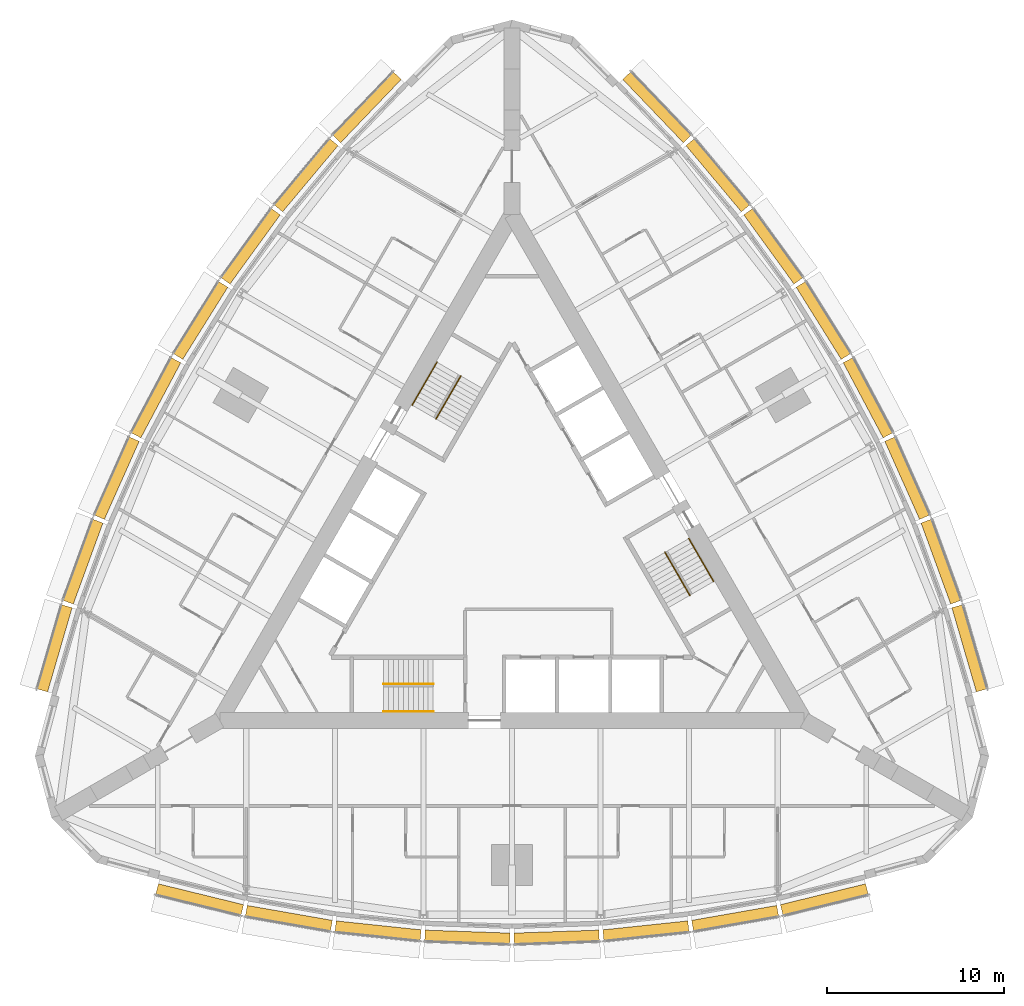
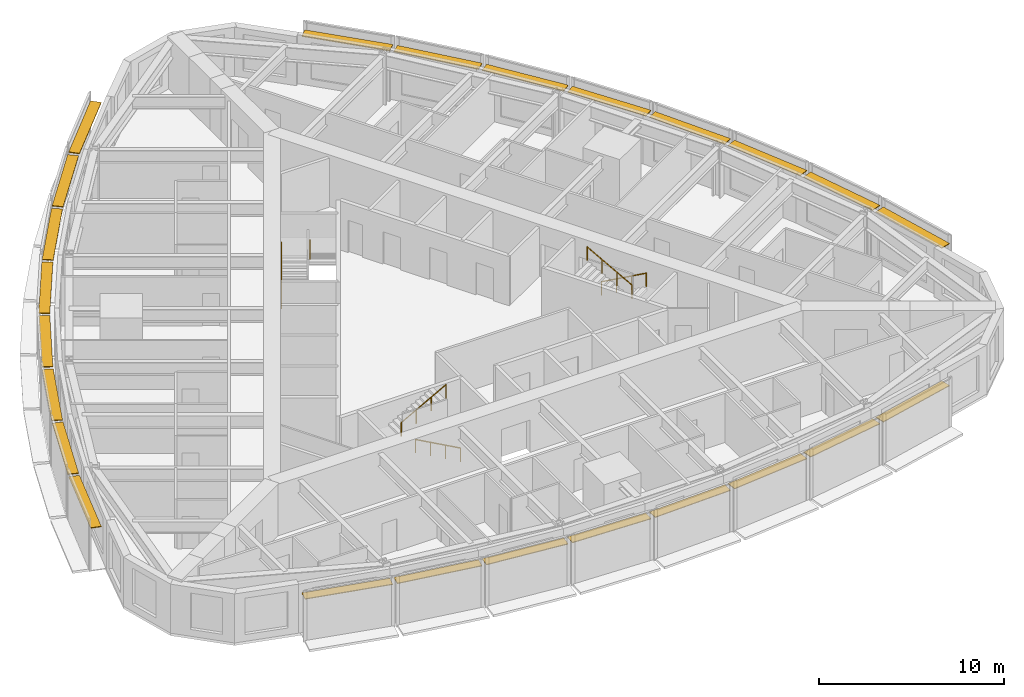
# One storey, part 14 of 14: 24 shading devices, 6 railings.
"""IFC4 building model written with IfcOpenShell, lengths in metres."""

from ifc_helpers import new_model, si_unit, direction, frame, origin, origin_2d, place, context, subcontext, project, spatial, rectangle, circle, extrude, material, type_object, element, save


model = new_model("IFC4")

# Units and contexts
model_context = context("Model", 3, precision=1e-05, world=origin(), true_north=direction((0.0, 1.0)))
body_context = subcontext(model_context, "Body", "Model", "MODEL_VIEW")
ifc_project = project(units=[si_unit("LENGTHUNIT", "METRE"), si_unit("AREAUNIT", "SQUARE_METRE"), si_unit("VOLUMEUNIT", "CUBIC_METRE"), si_unit("PLANEANGLEUNIT", "RADIAN"), si_unit("MASSUNIT", "GRAM", prefix="KILO")], contexts=[model_context])

# Site, building, storey
site_placement = place(None, origin())
site = spatial("IfcSite", under=ifc_project, at=site_placement, CompositionType="ELEMENT")
building_placement = place(site_placement, origin())
building = spatial("IfcBuilding", under=site, at=building_placement, Name="Trikona Tower", CompositionType="ELEMENT")
storey_placement = place(building_placement, frame((0.0, 0.0, 165.699951171875)))
storey = spatial("IfcBuildingStorey", under=building, at=storey_placement, Name="L44", CompositionType="ELEMENT", Elevation=165.699951171875)

# Shading devices
ifc_material_1 = material(Name="Aluminium louvre blade, pale anodised", Category="aluminium")
shading_device_type = type_object("IfcShadingDeviceType", Name="Cavity louvre 600", PredefinedType="USERDEFINED", material=ifc_material_1)
shading_device_1_placement = place(storey_placement, frame((-17.63330078125, -19.631591796875, 2.77490234375), z_axis=(0.0, 0.0, 1.0), x_axis=(0.971274411564, -0.237962218516, 0.0)))
element("IfcShadingDevice", 1, at=shading_device_1_placement, inside=storey, type_object=shading_device_type, Name="Cavity louvre L44-00", ObjectType="LOUVRE", PredefinedType="USERDEFINED", context=body_context, shape_type="SweptSolid", body=[
    extrude(rectangle(XDim=4.947998046875, YDim=0.60009765625, at=origin_2d()), origin(), (0.0, 0.0, 1.0), 0.050048828125),
])
shading_device_2_placement = place(storey_placement, frame((-12.596435546875, -20.689208984375, 2.77490234375), z_axis=(0.0, 0.0, 1.0), x_axis=(0.985030604067, -0.172379549401, 0.0)))
element("IfcShadingDevice", 2, at=shading_device_2_placement, inside=storey, type_object=shading_device_type, Name="Cavity louvre L44-01", ObjectType="LOUVRE", PredefinedType="USERDEFINED", context=body_context, shape_type="SweptSolid", body=[
    extrude(rectangle(XDim=4.8759765625, YDim=0.60009765625, at=origin_2d()), origin(), (0.0, 0.0, 1.0), 0.050048828125),
])
shading_device_3_placement = place(storey_placement, frame((-7.55859375, -21.39453125, 2.77490234375), z_axis=(0.0, 0.0, 1.0), x_axis=(0.994532653854, -0.104426052392, 0.0)))
element("IfcShadingDevice", 3, at=shading_device_3_placement, inside=storey, type_object=shading_device_type, Name="Cavity louvre L44-02", ObjectType="LOUVRE", PredefinedType="USERDEFINED", context=body_context, shape_type="SweptSolid", body=[
    extrude(rectangle(XDim=4.827392578125, YDim=0.60009765625, at=origin_2d()), origin(), (0.0, 0.0, 1.0), 0.050048828125),
])
for number, where, z_axis, x_axis, name in (
    (4, (-2.51953125, -21.747314453125, 2.77490234375), (0.0, 0.0, 1.0), (0.999388082937, -0.034977988567, 0.0), "Cavity louvre L44-03"),
    (5, (2.51953125, -21.747314453125, 2.77490234375), (0.0, 0.0, 1.0), (0.999388082937, 0.034977988567, 0.0), "Cavity louvre L44-04"),
):
    element("IfcShadingDevice", number, at=place(storey_placement, frame(where, z_axis=z_axis, x_axis=x_axis)), inside=storey, type_object=shading_device_type, Name=name, ObjectType="LOUVRE", PredefinedType="USERDEFINED", context=body_context, shape_type="SweptSolid", body=[
        extrude(rectangle(XDim=4.802978515625, YDim=0.60009765625, at=origin_2d()), origin(), (0.0, 0.0, 1.0), 0.050048828125),
    ])
shading_device_4_placement = place(storey_placement, frame((7.55859375, -21.39453125, 2.77490234375), z_axis=(0.0, 0.0, 1.0), x_axis=(0.994532653854, 0.104426052392, 0.0)))
element("IfcShadingDevice", 6, at=shading_device_4_placement, inside=storey, type_object=shading_device_type, Name="Cavity louvre L44-05", ObjectType="LOUVRE", PredefinedType="USERDEFINED", context=body_context, shape_type="SweptSolid", body=[
    extrude(rectangle(XDim=4.827392578125, YDim=0.60009765625, at=origin_2d()), origin(), (0.0, 0.0, 1.0), 0.050048828125),
])
shading_device_5_placement = place(storey_placement, frame((12.596435546875, -20.689208984375, 2.77490234375), z_axis=(0.0, 0.0, 1.0), x_axis=(0.985030604067, 0.172379549401, 0.0)))
element("IfcShadingDevice", 7, at=shading_device_5_placement, inside=storey, type_object=shading_device_type, Name="Cavity louvre L44-06", ObjectType="LOUVRE", PredefinedType="USERDEFINED", context=body_context, shape_type="SweptSolid", body=[
    extrude(rectangle(XDim=4.8759765625, YDim=0.60009765625, at=origin_2d()), origin(), (0.0, 0.0, 1.0), 0.050048828125),
])
shading_device_6_placement = place(storey_placement, frame((17.63330078125, -19.631591796875, 2.77490234375), z_axis=(0.0, 0.0, 1.0), x_axis=(0.971274411564, 0.237962218516, 0.0)))
element("IfcShadingDevice", 8, at=shading_device_6_placement, inside=storey, type_object=shading_device_type, Name="Cavity louvre L44-07", ObjectType="LOUVRE", PredefinedType="USERDEFINED", context=body_context, shape_type="SweptSolid", body=[
    extrude(rectangle(XDim=4.947998046875, YDim=0.60009765625, at=origin_2d()), origin(), (0.0, 0.0, 1.0), 0.050048828125),
])
shading_device_7_placement = place(storey_placement, frame((25.818115234375, -5.455078125, 2.77490234375), z_axis=(0.0, 0.0, 1.0), x_axis=(-0.279554203664, 0.960129911634, 0.0)))
element("IfcShadingDevice", 9, at=shading_device_7_placement, inside=storey, type_object=shading_device_type, Name="Cavity louvre L44-12", ObjectType="LOUVRE", PredefinedType="USERDEFINED", context=body_context, shape_type="SweptSolid", body=[
    extrude(rectangle(XDim=4.94775390625, YDim=0.60009765625, at=origin_2d()), origin(), (0.0, 0.0, 1.0), 0.050048828125),
])
shading_device_8_placement = place(storey_placement, frame((24.2158203125, -0.564208984375, 2.77490234375), z_axis=(0.0, 0.0, 1.0), x_axis=(-0.343220397324, 0.939254895575, 0.0)))
element("IfcShadingDevice", 10, at=shading_device_8_placement, inside=storey, type_object=shading_device_type, Name="Cavity louvre L44-13", ObjectType="LOUVRE", PredefinedType="USERDEFINED", context=body_context, shape_type="SweptSolid", body=[
    extrude(rectangle(XDim=4.8759765625, YDim=0.60009765625, at=origin_2d()), origin(), (0.0, 0.0, 1.0), 0.050048828125),
])
shading_device_9_placement = place(storey_placement, frame((22.3076171875, 4.151611328125, 2.77490234375), z_axis=(0.0, 0.0, 1.0), x_axis=(-0.406843467615, 0.913497888809, 0.0)))
element("IfcShadingDevice", 11, at=shading_device_9_placement, inside=storey, type_object=shading_device_type, Name="Cavity louvre L44-14", ObjectType="LOUVRE", PredefinedType="USERDEFINED", context=body_context, shape_type="SweptSolid", body=[
    extrude(rectangle(XDim=4.827392578125, YDim=0.60009765625, at=origin_2d()), origin(), (0.0, 0.0, 1.0), 0.050048828125),
])
for number, where, z_axis, x_axis, name in (
    (12, (20.093505859375, 8.691650390625, 2.77490234375), (0.0, 0.0, 1.0), (-0.469397591494, 0.882986920118, 0.0), "Cavity louvre L44-15"),
    (13, (17.573974609375, 13.0556640625, 2.77490234375), (0.0, 0.0, 1.0), (-0.529994748414, 0.848000923734, 0.0), "Cavity louvre L44-16"),
):
    element("IfcShadingDevice", number, at=place(storey_placement, frame(where, z_axis=z_axis, x_axis=x_axis)), inside=storey, type_object=shading_device_type, Name=name, ObjectType="LOUVRE", PredefinedType="USERDEFINED", context=body_context, shape_type="SweptSolid", body=[
        extrude(rectangle(XDim=4.802978515625, YDim=0.60009765625, at=origin_2d()), origin(), (0.0, 0.0, 1.0), 0.050048828125),
    ])
shading_device_10_placement = place(storey_placement, frame((14.7490234375, 17.2431640625, 2.77490234375), z_axis=(0.0, 0.0, 1.0), x_axis=(-0.587686407834, 0.809088799853, 0.0)))
element("IfcShadingDevice", 14, at=shading_device_10_placement, inside=storey, type_object=shading_device_type, Name="Cavity louvre L44-17", ObjectType="LOUVRE", PredefinedType="USERDEFINED", context=body_context, shape_type="SweptSolid", body=[
    extrude(rectangle(XDim=4.827392578125, YDim=0.60009765625, at=origin_2d()), origin(), (0.0, 0.0, 1.0), 0.050048828125),
])
shading_device_11_placement = place(storey_placement, frame((11.619140625, 21.253662109375, 2.77490234375), z_axis=(0.0, 0.0, 1.0), x_axis=(-0.641807063101, 0.766866151133, 0.0)))
element("IfcShadingDevice", 15, at=shading_device_11_placement, inside=storey, type_object=shading_device_type, Name="Cavity louvre L44-18", ObjectType="LOUVRE", PredefinedType="USERDEFINED", context=body_context, shape_type="SweptSolid", body=[
    extrude(rectangle(XDim=4.8759765625, YDim=0.60009765625, at=origin_2d()), origin(), (0.0, 0.0, 1.0), 0.050048828125),
])
for number, where, z_axis, x_axis, name in (
    (16, (8.184814453125, 25.086669921875, 2.77490234375), (0.0, 0.0, 1.0), (-0.691723573819, 0.722162376078, 0.0), "Cavity louvre L44-19"),
    (17, (-8.184814453125, 25.086669921875, 2.77490234375), (0.0, 0.0, 1.0), (-0.691723573819, -0.722162376078, 0.0), "Cavity louvre L44-24"),
):
    element("IfcShadingDevice", number, at=place(storey_placement, frame(where, z_axis=z_axis, x_axis=x_axis)), inside=storey, type_object=shading_device_type, Name=name, ObjectType="LOUVRE", PredefinedType="USERDEFINED", context=body_context, shape_type="SweptSolid", body=[
        extrude(rectangle(XDim=4.947998046875, YDim=0.60009765625, at=origin_2d()), origin(), (0.0, 0.0, 1.0), 0.050048828125),
    ])
shading_device_12_placement = place(storey_placement, frame((-11.619140625, 21.253662109375, 2.77490234375), z_axis=(0.0, 0.0, 1.0), x_axis=(-0.641807063101, -0.766866151133, 0.0)))
element("IfcShadingDevice", 18, at=shading_device_12_placement, inside=storey, type_object=shading_device_type, Name="Cavity louvre L44-25", ObjectType="LOUVRE", PredefinedType="USERDEFINED", context=body_context, shape_type="SweptSolid", body=[
    extrude(rectangle(XDim=4.8759765625, YDim=0.60009765625, at=origin_2d()), origin(), (0.0, 0.0, 1.0), 0.050048828125),
])
shading_device_13_placement = place(storey_placement, frame((-14.7490234375, 17.2431640625, 2.77490234375), z_axis=(0.0, 0.0, 1.0), x_axis=(-0.587686407834, -0.809088799853, 0.0)))
element("IfcShadingDevice", 19, at=shading_device_13_placement, inside=storey, type_object=shading_device_type, Name="Cavity louvre L44-26", ObjectType="LOUVRE", PredefinedType="USERDEFINED", context=body_context, shape_type="SweptSolid", body=[
    extrude(rectangle(XDim=4.827392578125, YDim=0.60009765625, at=origin_2d()), origin(), (0.0, 0.0, 1.0), 0.050048828125),
])
for number, where, z_axis, x_axis, name in (
    (20, (-17.573974609375, 13.0556640625, 2.77490234375), (0.0, 0.0, 1.0), (-0.529994748414, -0.848000923734, 0.0), "Cavity louvre L44-27"),
    (21, (-20.093505859375, 8.691650390625, 2.77490234375), (0.0, 0.0, 1.0), (-0.469397591494, -0.882986920118, 0.0), "Cavity louvre L44-28"),
):
    element("IfcShadingDevice", number, at=place(storey_placement, frame(where, z_axis=z_axis, x_axis=x_axis)), inside=storey, type_object=shading_device_type, Name=name, ObjectType="LOUVRE", PredefinedType="USERDEFINED", context=body_context, shape_type="SweptSolid", body=[
        extrude(rectangle(XDim=4.802978515625, YDim=0.60009765625, at=origin_2d()), origin(), (0.0, 0.0, 1.0), 0.050048828125),
    ])
shading_device_14_placement = place(storey_placement, frame((-22.3076171875, 4.151611328125, 2.77490234375), z_axis=(0.0, 0.0, 1.0), x_axis=(-0.406843467615, -0.913497888809, 0.0)))
element("IfcShadingDevice", 22, at=shading_device_14_placement, inside=storey, type_object=shading_device_type, Name="Cavity louvre L44-29", ObjectType="LOUVRE", PredefinedType="USERDEFINED", context=body_context, shape_type="SweptSolid", body=[
    extrude(rectangle(XDim=4.827392578125, YDim=0.60009765625, at=origin_2d()), origin(), (0.0, 0.0, 1.0), 0.050048828125),
])
shading_device_15_placement = place(storey_placement, frame((-24.2158203125, -0.564208984375, 2.77490234375), z_axis=(0.0, 0.0, 1.0), x_axis=(-0.343220397324, -0.939254895575, 0.0)))
element("IfcShadingDevice", 23, at=shading_device_15_placement, inside=storey, type_object=shading_device_type, Name="Cavity louvre L44-30", ObjectType="LOUVRE", PredefinedType="USERDEFINED", context=body_context, shape_type="SweptSolid", body=[
    extrude(rectangle(XDim=4.8759765625, YDim=0.60009765625, at=origin_2d()), origin(), (0.0, 0.0, 1.0), 0.050048828125),
])
shading_device_16_placement = place(storey_placement, frame((-25.818115234375, -5.455078125, 2.77490234375), z_axis=(0.0, 0.0, 1.0), x_axis=(-0.279554203664, -0.960129911634, 0.0)))
element("IfcShadingDevice", 24, at=shading_device_16_placement, inside=storey, type_object=shading_device_type, Name="Cavity louvre L44-31", ObjectType="LOUVRE", PredefinedType="USERDEFINED", context=body_context, shape_type="SweptSolid", body=[
    extrude(rectangle(XDim=4.94775390625, YDim=0.60009765625, at=origin_2d()), origin(), (0.0, 0.0, 1.0), 0.050048828125),
])

# Railings
ifc_material_2 = material(Name="Stainless steel handrail", Category="steel")
railing_type = type_object("IfcRailingType", Name="Stair handrail", PredefinedType="HANDRAIL", material=ifc_material_2)
railing_1_placement = place(storey_placement, frame((-4.449951171875, -9.016357421875, 0.154541015625)))
element("IfcRailing", 25, at=railing_1_placement, inside=storey, type_object=railing_type, Name="Stair handrail A L44 1", PredefinedType="HANDRAIL", context=body_context, shape_type="SweptSolid", body=[
    extrude(circle(Radius=0.02392578125, at=origin_2d()), frame((0.0, 0.0, 0.8759765625), z_axis=(-0.875504190374, 0.0, 0.483210526207), x_axis=(0.0, -1.0, 0.0)), (0.0, 0.0, 1.0), 3.1982421875),
    extrude(circle(Radius=0.02099609375, at=origin_2d()), origin(), (0.0, 0.0, 1.0), 0.851806640625),
    extrude(circle(Radius=0.02099609375, at=origin_2d()), frame((-0.933349609375, 0.0, 0.51513671875)), (0.0, 0.0, 1.0), 0.851806640625),
    extrude(circle(Radius=0.02099609375, at=origin_2d()), frame((-1.86669921875, 0.0, 1.0302734375)), (0.0, 0.0, 1.0), 0.851806640625),
    extrude(circle(Radius=0.02099609375, at=origin_2d()), frame((-2.800048828125, 0.0, 1.54541015625)), (0.0, 0.0, 1.0), 0.851806640625),
])
railing_2_placement = place(storey_placement, frame((-7.25, -7.46630859375, 1.8544921875)))
element("IfcRailing", 26, at=railing_2_placement, inside=storey, type_object=railing_type, Name="Stair handrail A L44 2", PredefinedType="HANDRAIL", context=body_context, shape_type="SweptSolid", body=[
    extrude(circle(Radius=0.02392578125, at=origin_2d()), frame((0.0, 0.0, 0.8759765625), z_axis=(0.875471895205, 0.0, 0.483269035534), x_axis=(0.0, 1.0, 0.0)), (0.0, 0.0, 1.0), 3.1982421875),
    extrude(circle(Radius=0.02099609375, at=origin_2d()), origin(), (0.0, 0.0, 1.0), 0.851806640625),
    extrude(circle(Radius=0.02099609375, at=origin_2d()), frame((0.933349609375, 0.0, 0.51513671875)), (0.0, 0.0, 1.0), 0.851806640625),
    extrude(circle(Radius=0.02099609375, at=origin_2d()), frame((1.86669921875, 0.0, 1.030517578125)), (0.0, 0.0, 1.0), 0.851806640625),
    extrude(circle(Radius=0.02099609375, at=origin_2d()), frame((2.800048828125, 0.0, 1.545654296875)), (0.0, 0.0, 1.0), 0.851806640625),
])
railing_3_placement = place(storey_placement, frame((9.9833984375, 0.740966796875, 0.154541015625)))
element("IfcRailing", 27, at=railing_3_placement, inside=storey, type_object=railing_type, Name="Stair handrail B L44 1", PredefinedType="HANDRAIL", context=body_context, shape_type="SweptSolid", body=[
    extrude(circle(Radius=0.02392578125, at=origin_2d()), frame((0.0, 0.0, 0.8759765625), z_axis=(0.437707188162, -0.758239536103, 0.483203087036), x_axis=(0.866056369097, 0.49994636267, 0.0)), (0.0, 0.0, 1.0), 3.1982421875),
    extrude(circle(Radius=0.02099609375, at=origin_2d()), origin(), (0.0, 0.0, 1.0), 0.851806640625),
    extrude(circle(Radius=0.02099609375, at=origin_2d()), frame((0.466552734375, -0.808349609375, 0.51513671875)), (0.0, 0.0, 1.0), 0.851806640625),
    extrude(circle(Radius=0.02099609375, at=origin_2d()), frame((0.933349609375, -1.61669921875, 1.0302734375)), (0.0, 0.0, 1.0), 0.851806640625),
    extrude(circle(Radius=0.02099609375, at=origin_2d()), frame((1.39990234375, -2.425048828125, 1.54541015625)), (0.0, 0.0, 1.0), 0.851806640625),
])
railing_4_placement = place(storey_placement, frame((10.041015625, -2.458984375, 1.8544921875)))
element("IfcRailing", 28, at=railing_4_placement, inside=storey, type_object=railing_type, Name="Stair handrail B L44 2", PredefinedType="HANDRAIL", context=body_context, shape_type="SweptSolid", body=[
    extrude(circle(Radius=0.02392578125, at=origin_2d()), frame((0.0, 0.0, 0.8759765625), z_axis=(-0.437691042731, 0.758211567396, 0.483261596012), x_axis=(-0.866056369097, -0.49994636267, 0.0)), (0.0, 0.0, 1.0), 3.198486328125),
    extrude(circle(Radius=0.02099609375, at=origin_2d()), origin(), (0.0, 0.0, 1.0), 0.851806640625),
    extrude(circle(Radius=0.02099609375, at=origin_2d()), frame((-0.466552734375, 0.808349609375, 0.51513671875)), (0.0, 0.0, 1.0), 0.851806640625),
    extrude(circle(Radius=0.02099609375, at=origin_2d()), frame((-0.933349609375, 1.61669921875, 1.030517578125)), (0.0, 0.0, 1.0), 0.851806640625),
    extrude(circle(Radius=0.02099609375, at=origin_2d()), frame((-1.39990234375, 2.425048828125, 1.545654296875)), (0.0, 0.0, 1.0), 0.851806640625),
])
railing_5_placement = place(storey_placement, frame((-5.63330078125, 8.275390625, 0.154541015625)))
element("IfcRailing", 29, at=railing_5_placement, inside=storey, type_object=railing_type, Name="Stair handrail C L44 1", PredefinedType="HANDRAIL", context=body_context, shape_type="SweptSolid", body=[
    extrude(circle(Radius=0.02392578125, at=origin_2d()), frame((0.0, 0.0, 0.8759765625), z_axis=(0.437732523806, 0.758207085183, 0.483231056102), x_axis=(-0.866034573852, 0.49998411664, 0.0)), (0.0, 0.0, 1.0), 3.197998046875),
    extrude(circle(Radius=0.02099609375, at=origin_2d()), origin(), (0.0, 0.0, 1.0), 0.851806640625),
    extrude(circle(Radius=0.02099609375, at=origin_2d()), frame((0.466552734375, 0.808349609375, 0.51513671875)), (0.0, 0.0, 1.0), 0.851806640625),
    extrude(circle(Radius=0.02099609375, at=origin_2d()), frame((0.933349609375, 1.616455078125, 1.0302734375)), (0.0, 0.0, 1.0), 0.851806640625),
    extrude(circle(Radius=0.02099609375, at=origin_2d()), frame((1.39990234375, 2.4248046875, 1.54541015625)), (0.0, 0.0, 1.0), 0.851806640625),
])
railing_6_placement = place(storey_placement, frame((-2.89111328125, 9.92529296875, 1.8544921875)))
element("IfcRailing", 30, at=railing_6_placement, inside=storey, type_object=railing_type, Name="Stair handrail C L44 2", PredefinedType="HANDRAIL", context=body_context, shape_type="SweptSolid", body=[
    extrude(circle(Radius=0.02392578125, at=origin_2d()), frame((0.0, 0.0, 0.8759765625), z_axis=(-0.437691042731, -0.758211567396, 0.483261596012), x_axis=(0.866056369097, -0.49994636267, 0.0)), (0.0, 0.0, 1.0), 3.198486328125),
    extrude(circle(Radius=0.02099609375, at=origin_2d()), origin(), (0.0, 0.0, 1.0), 0.851806640625),
    extrude(circle(Radius=0.02099609375, at=origin_2d()), frame((-0.466552734375, -0.808349609375, 0.51513671875)), (0.0, 0.0, 1.0), 0.851806640625),
    extrude(circle(Radius=0.02099609375, at=origin_2d()), frame((-0.933349609375, -1.61669921875, 1.030517578125)), (0.0, 0.0, 1.0), 0.851806640625),
    extrude(circle(Radius=0.02099609375, at=origin_2d()), frame((-1.39990234375, -2.425048828125, 1.545654296875)), (0.0, 0.0, 1.0), 0.851806640625),
])

save(model, "model.ifc")
